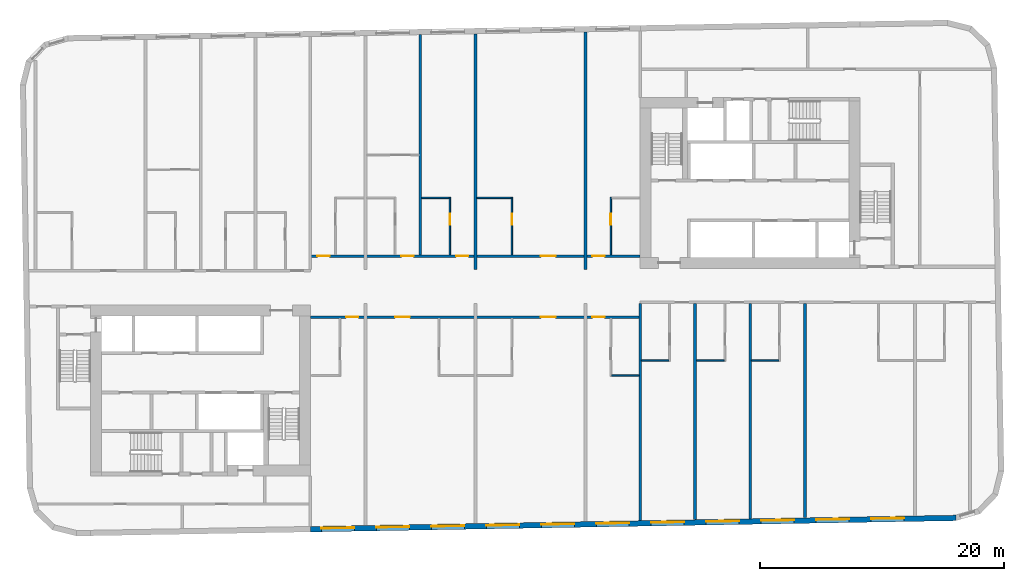
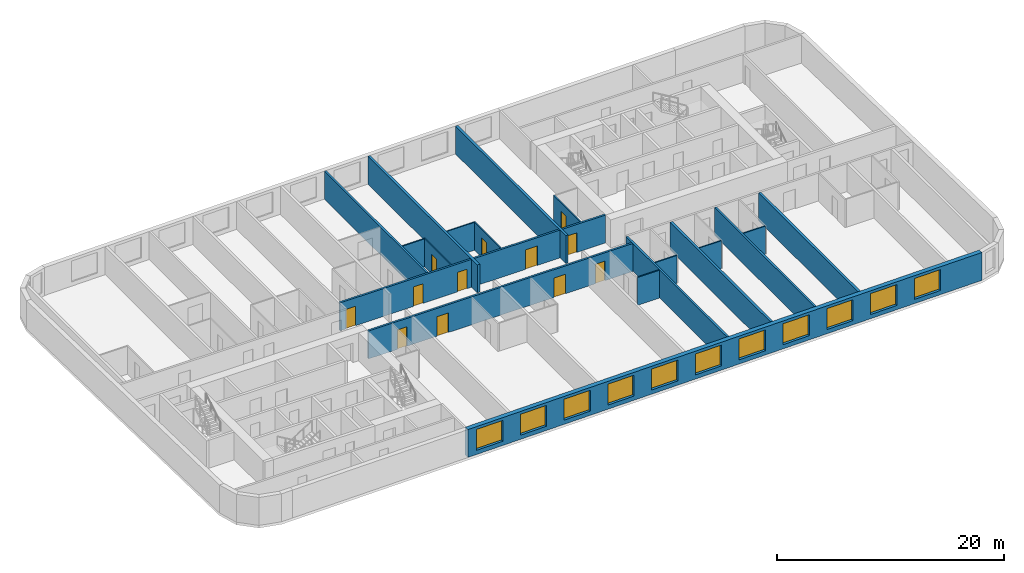
# One storey, part 4 of 11: 19 walls, 12 doors, 11 windows, 23 openings.
"""IFC4 building model written with IfcOpenShell, lengths in metres."""

from ifc_helpers import new_model, si_unit, direction, frame, frame_2d, origin, place, context, subcontext, project, spatial, rectangle, extrude, material, layer, layer_set, type_object, element, fill, save


model = new_model("IFC4")

# Units and contexts
model_context = context("Model", 3, precision=1e-05, world=origin(), true_north=direction((0.0, 1.0)))
body_context = subcontext(model_context, "Body", "Model", "MODEL_VIEW")
ifc_project = project(units=[si_unit("LENGTHUNIT", "METRE"), si_unit("AREAUNIT", "SQUARE_METRE"), si_unit("VOLUMEUNIT", "CUBIC_METRE"), si_unit("PLANEANGLEUNIT", "RADIAN"), si_unit("MASSUNIT", "GRAM", prefix="KILO")], contexts=[model_context])

# Site, building, storey
site_placement = place(None, origin())
site = spatial("IfcSite", under=ifc_project, at=site_placement, CompositionType="ELEMENT")
building_placement = place(site_placement, origin())
building = spatial("IfcBuilding", under=site, at=building_placement, Name="Kajstack Hotel Tower", CompositionType="ELEMENT")
storey_placement = place(building_placement, frame((0.0, 0.0, 254.0)))
storey = spatial("IfcBuildingStorey", under=building, at=storey_placement, Name="L63", CompositionType="ELEMENT", Elevation=254.0)

# Wall, openings, doors
ifc_material_1 = material(Name="Gypsum board on steel studs, mineral wool", Category="steel")
ifc_layer_1 = layer(ifc_material_1, 0.199951171875)
ifc_layer_set_1 = layer_set([ifc_layer_1], Name="Corridor wall 200")
wall_type_1 = type_object("IfcWallType", Name="Corridor wall 200", PredefinedType="PARTITIONING", material=ifc_layer_set_1)
wall_1_placement = place(storey_placement, frame((-13.5, 2.5, 0.0), z_axis=(0.0, 0.0, 1.0), x_axis=(1.0, 0.0, 0.0)))
wall_1 = element("IfcWall", 1, at=wall_1_placement, inside=storey, type_object=wall_type_1, Name="G-wall-L63-004", PredefinedType="PARTITIONING", context=body_context, shape_type="SweptSolid", body=[
    extrude(rectangle(XDim=27.0, YDim=0.199951171875, at=frame_2d((13.5, 0.0))), origin(), (0.0, 0.0, 1.0), 3.0),
])
opening_1_placement = place(wall_1_placement, frame((0.574951171875, 0.0, 0.0)))
opening_1 = element("IfcOpeningElement", 2, at=opening_1_placement, cuts=wall_1, Name="Opening 63010", PredefinedType="OPENING", context=body_context, shape_type="SweptSolid", body=[
    extrude(rectangle(XDim=1.0, YDim=2.10009765625, at=frame_2d((0.5, 1.050048828125))), frame((0.0, 0.10986328125, 0.0), z_axis=(0.0, -1.0, 0.0), x_axis=(1.0, 0.0, 0.0)), (0.0, 0.0, 1.0), 0.219970703125),
])
opening_2_placement = place(wall_1_placement, frame((7.449951171875, 0.0, 0.0)))
opening_2 = element("IfcOpeningElement", 3, at=opening_2_placement, cuts=wall_1, Name="Opening 63012", PredefinedType="OPENING", context=body_context, shape_type="SweptSolid", body=[
    extrude(rectangle(XDim=1.0, YDim=2.10009765625, at=frame_2d((0.5, 1.050048828125))), frame((0.0, 0.10986328125, 0.0), z_axis=(0.0, -1.0, 0.0), x_axis=(1.0, 0.0, 0.0)), (0.0, 0.0, 1.0), 0.219970703125),
])
opening_3_placement = place(wall_1_placement, frame((11.925048828125, 0.0, 0.0)))
opening_3 = element("IfcOpeningElement", 4, at=opening_3_placement, cuts=wall_1, Name="Opening 63015", PredefinedType="OPENING", context=body_context, shape_type="SweptSolid", body=[
    extrude(rectangle(XDim=1.0, YDim=2.10009765625, at=frame_2d((0.5, 1.050048828125))), frame((0.0, 0.10986328125, 0.0), z_axis=(0.0, -1.0, 0.0), x_axis=(1.0, 0.0, 0.0)), (0.0, 0.0, 1.0), 0.219970703125),
])
opening_4_placement = place(wall_1_placement, frame((18.862060546875, 0.0, 0.0)))
opening_4 = element("IfcOpeningElement", 5, at=opening_4_placement, cuts=wall_1, Name="Opening 63017", PredefinedType="OPENING", context=body_context, shape_type="SweptSolid", body=[
    extrude(rectangle(XDim=1.199951171875, YDim=2.10009765625, at=frame_2d((0.60009765625, 1.050048828125))), frame((0.0, 0.10986328125, 0.0), z_axis=(0.0, -1.0, 0.0), x_axis=(1.0, 0.0, 0.0)), (0.0, 0.0, 1.0), 0.219970703125),
])
opening_5_placement = place(wall_1_placement, frame((23.074951171875, 0.0, 0.0)))
opening_5 = element("IfcOpeningElement", 6, at=opening_5_placement, cuts=wall_1, Name="Opening 63019", PredefinedType="OPENING", context=body_context, shape_type="SweptSolid", body=[
    extrude(rectangle(XDim=1.0, YDim=2.10009765625, at=frame_2d((0.5, 1.050048828125))), frame((0.0, 0.10986328125, 0.0), z_axis=(0.0, -1.0, 0.0), x_axis=(1.0, 0.0, 0.0)), (0.0, 0.0, 1.0), 0.219970703125),
])
ifc_material_2 = material(Name="Oak veneer on timber core, fire-rated leaf", Category="wood")
door_type_1 = type_object("IfcDoorType", Name="Flat entrance door 1000", OperationType="SINGLE_SWING_LEFT", PredefinedType="DOOR", material=ifc_material_2)
door_1_placement = place(opening_1_placement, origin())
door_1 = element("IfcDoor", 7, at=door_1_placement, inside=storey, type_object=door_type_1, Name="G-door-L63-10", OperationType="SINGLE_SWING_RIGHT", OverallHeight=2.10009765625, OverallWidth=1.0, PredefinedType="DOOR", context=body_context, shape_type="SweptSolid", body=[
    extrude(rectangle(XDim=1.0, YDim=2.10009765625, at=frame_2d((0.5, 1.050048828125))), frame((0.0, 0.02490234375, 0.0), z_axis=(0.0, -1.0, 0.0), x_axis=(1.0, 0.0, 0.0)), (0.0, 0.0, 1.0), 0.050048828125),
])
fill(opening_1, door_1)
door_2_placement = place(opening_2_placement, origin())
door_2 = element("IfcDoor", 8, at=door_2_placement, inside=storey, type_object=door_type_1, Name="G-door-L63-12", OperationType="SINGLE_SWING_LEFT", OverallHeight=2.10009765625, OverallWidth=1.0, PredefinedType="DOOR", context=body_context, shape_type="SweptSolid", body=[
    extrude(rectangle(XDim=1.0, YDim=2.10009765625, at=frame_2d((0.5, 1.050048828125))), frame((0.0, 0.02490234375, 0.0), z_axis=(0.0, -1.0, 0.0), x_axis=(1.0, 0.0, 0.0)), (0.0, 0.0, 1.0), 0.050048828125),
])
fill(opening_2, door_2)
door_3_placement = place(opening_3_placement, origin())
door_3 = element("IfcDoor", 9, at=door_3_placement, inside=storey, type_object=door_type_1, Name="G-door-L63-15", OperationType="SINGLE_SWING_RIGHT", OverallHeight=2.10009765625, OverallWidth=1.0, PredefinedType="DOOR", context=body_context, shape_type="SweptSolid", body=[
    extrude(rectangle(XDim=1.0, YDim=2.10009765625, at=frame_2d((0.5, 1.050048828125))), frame((0.0, 0.02490234375, 0.0), z_axis=(0.0, -1.0, 0.0), x_axis=(1.0, 0.0, 0.0)), (0.0, 0.0, 1.0), 0.050048828125),
])
fill(opening_3, door_3)
door_4_placement = place(opening_5_placement, origin())
door_4 = element("IfcDoor", 10, at=door_4_placement, inside=storey, type_object=door_type_1, Name="G-door-L63-19", OperationType="SINGLE_SWING_LEFT", OverallHeight=2.10009765625, OverallWidth=1.0, PredefinedType="DOOR", context=body_context, shape_type="SweptSolid", body=[
    extrude(rectangle(XDim=1.0, YDim=2.10009765625, at=frame_2d((0.5, 1.050048828125))), frame((0.0, 0.02490234375, 0.0), z_axis=(0.0, -1.0, 0.0), x_axis=(1.0, 0.0, 0.0)), (0.0, 0.0, 1.0), 0.050048828125),
])
fill(opening_5, door_4)
door_type_2 = type_object("IfcDoorType", Name="Flat entrance door 1200", OperationType="SINGLE_SWING_LEFT", PredefinedType="DOOR", material=ifc_material_2)
door_5_placement = place(opening_4_placement, origin())
door_5 = element("IfcDoor", 11, at=door_5_placement, inside=storey, type_object=door_type_2, Name="G-door-L63-17", OperationType="SINGLE_SWING_LEFT", OverallHeight=2.10009765625, OverallWidth=1.199951171875, PredefinedType="DOOR", context=body_context, shape_type="SweptSolid", body=[
    extrude(rectangle(XDim=1.199951171875, YDim=2.10009765625, at=frame_2d((0.60009765625, 1.050048828125))), frame((0.0, 0.02490234375, 0.0), z_axis=(0.0, -1.0, 0.0), x_axis=(1.0, 0.0, 0.0)), (0.0, 0.0, 1.0), 0.050048828125),
])
fill(opening_4, door_5)

wall_2_placement = place(storey_placement, frame((-13.5, -2.5, 0.0), z_axis=(0.0, 0.0, 1.0), x_axis=(1.0, 0.0, 0.0)))
wall_2 = element("IfcWall", 12, at=wall_2_placement, inside=storey, type_object=wall_type_1, Name="G-wall-L63-028", PredefinedType="PARTITIONING", context=body_context, shape_type="SweptSolid", body=[
    extrude(rectangle(XDim=27.0, YDim=0.199951171875, at=frame_2d((13.5, 0.0))), origin(), (0.0, 0.0, 1.0), 3.0),
])
opening_6_placement = place(wall_2_placement, frame((2.925048828125, 0.0, 0.0)))
opening_6 = element("IfcOpeningElement", 13, at=opening_6_placement, cuts=wall_2, Name="Opening 63021", PredefinedType="OPENING", context=body_context, shape_type="SweptSolid", body=[
    extrude(rectangle(XDim=1.0, YDim=2.10009765625, at=frame_2d((0.5, 1.050048828125))), frame((0.0, 0.10986328125, 0.0), z_axis=(0.0, -1.0, 0.0), x_axis=(1.0, 0.0, 0.0)), (0.0, 0.0, 1.0), 0.219970703125),
])
opening_7_placement = place(wall_2_placement, frame((6.93798828125, 0.0, 0.0)))
opening_7 = element("IfcOpeningElement", 14, at=opening_7_placement, cuts=wall_2, Name="Opening 63023", PredefinedType="OPENING", context=body_context, shape_type="SweptSolid", body=[
    extrude(rectangle(XDim=1.199951171875, YDim=2.10009765625, at=frame_2d((0.60009765625, 1.050048828125))), frame((0.0, 0.10986328125, 0.0), z_axis=(0.0, -1.0, 0.0), x_axis=(1.0, 0.0, 0.0)), (0.0, 0.0, 1.0), 0.219970703125),
])
opening_8_placement = place(wall_2_placement, frame((18.862060546875, 0.0, 0.0)))
opening_8 = element("IfcOpeningElement", 15, at=opening_8_placement, cuts=wall_2, Name="Opening 63025", PredefinedType="OPENING", context=body_context, shape_type="SweptSolid", body=[
    extrude(rectangle(XDim=1.199951171875, YDim=2.10009765625, at=frame_2d((0.60009765625, 1.050048828125))), frame((0.0, 0.10986328125, 0.0), z_axis=(0.0, -1.0, 0.0), x_axis=(1.0, 0.0, 0.0)), (0.0, 0.0, 1.0), 0.219970703125),
])
opening_9_placement = place(wall_2_placement, frame((23.074951171875, 0.0, 0.0)))
opening_9 = element("IfcOpeningElement", 16, at=opening_9_placement, cuts=wall_2, Name="Opening 63027", PredefinedType="OPENING", context=body_context, shape_type="SweptSolid", body=[
    extrude(rectangle(XDim=1.0, YDim=2.10009765625, at=frame_2d((0.5, 1.050048828125))), frame((0.0, 0.10986328125, 0.0), z_axis=(0.0, -1.0, 0.0), x_axis=(1.0, 0.0, 0.0)), (0.0, 0.0, 1.0), 0.219970703125),
])
door_6_placement = place(opening_6_placement, origin())
door_6 = element("IfcDoor", 17, at=door_6_placement, inside=storey, type_object=door_type_1, Name="G-door-L63-21", OperationType="SINGLE_SWING_LEFT", OverallHeight=2.10009765625, OverallWidth=1.0, PredefinedType="DOOR", context=body_context, shape_type="SweptSolid", body=[
    extrude(rectangle(XDim=1.0, YDim=2.10009765625, at=frame_2d((0.5, 1.050048828125))), frame((0.0, 0.02490234375, 0.0), z_axis=(0.0, -1.0, 0.0), x_axis=(1.0, 0.0, 0.0)), (0.0, 0.0, 1.0), 0.050048828125),
])
fill(opening_6, door_6)
door_7_placement = place(opening_9_placement, origin())
door_7 = element("IfcDoor", 18, at=door_7_placement, inside=storey, type_object=door_type_1, Name="G-door-L63-27", OperationType="SINGLE_SWING_RIGHT", OverallHeight=2.10009765625, OverallWidth=1.0, PredefinedType="DOOR", context=body_context, shape_type="SweptSolid", body=[
    extrude(rectangle(XDim=1.0, YDim=2.10009765625, at=frame_2d((0.5, 1.050048828125))), frame((0.0, 0.02490234375, 0.0), z_axis=(0.0, -1.0, 0.0), x_axis=(1.0, 0.0, 0.0)), (0.0, 0.0, 1.0), 0.050048828125),
])
fill(opening_9, door_7)
door_8_placement = place(opening_7_placement, origin())
door_8 = element("IfcDoor", 19, at=door_8_placement, inside=storey, type_object=door_type_2, Name="G-door-L63-23", OperationType="SINGLE_SWING_RIGHT", OverallHeight=2.10009765625, OverallWidth=1.199951171875, PredefinedType="DOOR", context=body_context, shape_type="SweptSolid", body=[
    extrude(rectangle(XDim=1.199951171875, YDim=2.10009765625, at=frame_2d((0.60009765625, 1.050048828125))), frame((0.0, 0.02490234375, 0.0), z_axis=(0.0, -1.0, 0.0), x_axis=(1.0, 0.0, 0.0)), (0.0, 0.0, 1.0), 0.050048828125),
])
fill(opening_7, door_8)
door_9_placement = place(opening_8_placement, origin())
door_9 = element("IfcDoor", 20, at=door_9_placement, inside=storey, type_object=door_type_2, Name="G-door-L63-25", OperationType="SINGLE_SWING_RIGHT", OverallHeight=2.10009765625, OverallWidth=1.199951171875, PredefinedType="DOOR", context=body_context, shape_type="SweptSolid", body=[
    extrude(rectangle(XDim=1.199951171875, YDim=2.10009765625, at=frame_2d((0.60009765625, 1.050048828125))), frame((0.0, 0.02490234375, 0.0), z_axis=(0.0, -1.0, 0.0), x_axis=(1.0, 0.0, 0.0)), (0.0, 0.0, 1.0), 0.050048828125),
])
fill(opening_8, door_9)

# Walls
ifc_material_3 = material(Name="Twin-frame gypsum board on steel studs, mineral wool", Category="steel")
ifc_layer_2 = layer(ifc_material_3, 0.199951171875)
ifc_layer_set_2 = layer_set([ifc_layer_2], Name="Demising wall 200")
wall_type_2 = type_object("IfcWallType", Name="Demising wall 200", PredefinedType="PARTITIONING", material=ifc_layer_set_2)
wall_3_placement = place(storey_placement, frame((-4.5, 2.60009765625, 0.0), z_axis=(0.0, 0.0, 1.0), x_axis=(0.0, 1.0, 0.0)))
element("IfcWall", 21, at=wall_3_placement, inside=storey, type_object=wall_type_2, Name="G-wall-L63-018", PredefinedType="PARTITIONING", context=body_context, shape_type="SweptSolid", body=[
    extrude(rectangle(XDim=18.02197265625, YDim=0.199951171875, at=frame_2d((9.010986328125, 0.0))), origin(), (0.0, 0.0, 1.0), 3.0),
])
wall_4_placement = place(storey_placement, frame((13.5, -19.169921875, 0.0), z_axis=(0.0, 0.0, 1.0), x_axis=(0.0, 1.0, 0.0)))
element("IfcWall", 22, at=wall_4_placement, inside=storey, type_object=wall_type_2, Name="G-wall-L63-036", PredefinedType="PARTITIONING", context=body_context, shape_type="SweptSolid", body=[
    extrude(rectangle(XDim=17.77001953125, YDim=0.199951171875, at=frame_2d((8.885009765625, 0.0))), origin(), (0.0, 0.0, 1.0), 3.0),
])
wall_5_placement = place(storey_placement, frame((22.5, -19.012939453125, 0.0), z_axis=(0.0, 0.0, 1.0), x_axis=(0.0, 1.0, 0.0)))
element("IfcWall", 23, at=wall_5_placement, inside=storey, type_object=wall_type_2, Name="G-wall-L63-041", PredefinedType="PARTITIONING", context=body_context, shape_type="SweptSolid", body=[
    extrude(rectangle(XDim=17.613037109375, YDim=0.199951171875, at=frame_2d((8.806640625, 0.0))), origin(), (0.0, 0.0, 1.0), 3.0),
])

# Wall, openings, windows
ifc_material_4 = material(Name="Terracotta-faced brick masonry", Category="masonry")
ifc_layer_3 = layer(ifc_material_4, 0.449951171875)
ifc_layer_set_3 = layer_set([ifc_layer_3], Name="EW-TERRA")
wall_type_3 = type_object("IfcWallType", Name="EW-TERRA", PredefinedType="SOLIDWALL", material=ifc_layer_set_3)
wall_6_placement = place(storey_placement, frame((-13.50390625, -19.8662109375, 0.0), z_axis=(0.0, 0.0, 1.0), x_axis=(0.999847672978, 0.017453676992, 0.0)))
wall_6 = element("IfcWall", 24, at=wall_6_placement, inside=storey, type_object=wall_type_3, Name="E-wall-L63-04-02", PredefinedType="SOLIDWALL", context=body_context, shape_type="SweptSolid", body=[
    extrude(rectangle(XDim=52.8603515625, YDim=0.449951171875, at=frame_2d((26.43017578125, 0.0))), origin(), (0.0, 0.0, 1.0), 3.0),
])
opening_10_placement = place(wall_6_placement, frame((0.900390625, 0.0, 0.449951171875)))
opening_10 = element("IfcOpeningElement", 25, at=opening_10_placement, cuts=wall_6, Name="Opening W1", PredefinedType="OPENING", context=body_context, shape_type="SweptSolid", body=[
    extrude(rectangle(XDim=2.699951171875, YDim=2.25, at=frame_2d((1.35009765625, 1.125))), frame((0.0, 0.23486328125, 0.0), z_axis=(0.0, -1.0, 0.0), x_axis=(1.0, 0.0, 0.0)), (0.0, 0.0, 1.0), 0.469970703125),
])
opening_11_placement = place(wall_6_placement, frame((5.40087890625, 0.0, 0.449951171875)))
opening_11 = element("IfcOpeningElement", 26, at=opening_11_placement, cuts=wall_6, Name="Opening W1", PredefinedType="OPENING", context=body_context, shape_type="SweptSolid", body=[
    extrude(rectangle(XDim=2.699951171875, YDim=2.25, at=frame_2d((1.35009765625, 1.125))), frame((0.0, 0.23486328125, 0.0), z_axis=(0.0, -1.0, 0.0), x_axis=(1.0, 0.0, 0.0)), (0.0, 0.0, 1.0), 0.469970703125),
])
opening_12_placement = place(wall_6_placement, frame((9.901611328125, 0.0, 0.449951171875)))
opening_12 = element("IfcOpeningElement", 27, at=opening_12_placement, cuts=wall_6, Name="Opening W1", PredefinedType="OPENING", context=body_context, shape_type="SweptSolid", body=[
    extrude(rectangle(XDim=2.699951171875, YDim=2.25, at=frame_2d((1.35009765625, 1.125))), frame((0.0, 0.23486328125, 0.0), z_axis=(0.0, -1.0, 0.0), x_axis=(1.0, 0.0, 0.0)), (0.0, 0.0, 1.0), 0.469970703125),
])
opening_13_placement = place(wall_6_placement, frame((14.40234375, 0.0, 0.449951171875)))
opening_13 = element("IfcOpeningElement", 28, at=opening_13_placement, cuts=wall_6, Name="Opening W1", PredefinedType="OPENING", context=body_context, shape_type="SweptSolid", body=[
    extrude(rectangle(XDim=2.699951171875, YDim=2.25, at=frame_2d((1.35009765625, 1.125))), frame((0.0, 0.23486328125, 0.0), z_axis=(0.0, -1.0, 0.0), x_axis=(1.0, 0.0, 0.0)), (0.0, 0.0, 1.0), 0.469970703125),
])
opening_14_placement = place(wall_6_placement, frame((18.903076171875, 0.0, 0.449951171875)))
opening_14 = element("IfcOpeningElement", 29, at=opening_14_placement, cuts=wall_6, Name="Opening W1", PredefinedType="OPENING", context=body_context, shape_type="SweptSolid", body=[
    extrude(rectangle(XDim=2.699951171875, YDim=2.25, at=frame_2d((1.35009765625, 1.125))), frame((0.0, 0.23486328125, 0.0), z_axis=(0.0, -1.0, 0.0), x_axis=(1.0, 0.0, 0.0)), (0.0, 0.0, 1.0), 0.469970703125),
])
opening_15_placement = place(wall_6_placement, frame((23.40380859375, 0.0, 0.449951171875)))
opening_15 = element("IfcOpeningElement", 30, at=opening_15_placement, cuts=wall_6, Name="Opening W1", PredefinedType="OPENING", context=body_context, shape_type="SweptSolid", body=[
    extrude(rectangle(XDim=2.699951171875, YDim=2.25, at=frame_2d((1.35009765625, 1.125))), frame((0.0, 0.23486328125, 0.0), z_axis=(0.0, -1.0, 0.0), x_axis=(1.0, 0.0, 0.0)), (0.0, 0.0, 1.0), 0.469970703125),
])
opening_16_placement = place(wall_6_placement, frame((27.904296875, 0.0, 0.449951171875)))
opening_16 = element("IfcOpeningElement", 31, at=opening_16_placement, cuts=wall_6, Name="Opening W1", PredefinedType="OPENING", context=body_context, shape_type="SweptSolid", body=[
    extrude(rectangle(XDim=2.699951171875, YDim=2.25, at=frame_2d((1.35009765625, 1.125))), frame((0.0, 0.23486328125, 0.0), z_axis=(0.0, -1.0, 0.0), x_axis=(1.0, 0.0, 0.0)), (0.0, 0.0, 1.0), 0.469970703125),
])
opening_17_placement = place(wall_6_placement, frame((32.405029296875, 0.0, 0.449951171875)))
opening_17 = element("IfcOpeningElement", 32, at=opening_17_placement, cuts=wall_6, Name="Opening W1", PredefinedType="OPENING", context=body_context, shape_type="SweptSolid", body=[
    extrude(rectangle(XDim=2.699951171875, YDim=2.25, at=frame_2d((1.35009765625, 1.125))), frame((0.0, 0.23486328125, 0.0), z_axis=(0.0, -1.0, 0.0), x_axis=(1.0, 0.0, 0.0)), (0.0, 0.0, 1.0), 0.469970703125),
])
opening_18_placement = place(wall_6_placement, frame((36.90576171875, 0.0, 0.449951171875)))
opening_18 = element("IfcOpeningElement", 33, at=opening_18_placement, cuts=wall_6, Name="Opening W1", PredefinedType="OPENING", context=body_context, shape_type="SweptSolid", body=[
    extrude(rectangle(XDim=2.699951171875, YDim=2.25, at=frame_2d((1.35009765625, 1.125))), frame((0.0, 0.23486328125, 0.0), z_axis=(0.0, -1.0, 0.0), x_axis=(1.0, 0.0, 0.0)), (0.0, 0.0, 1.0), 0.469970703125),
])
opening_19_placement = place(wall_6_placement, frame((41.406494140625, 0.0, 0.449951171875)))
opening_19 = element("IfcOpeningElement", 34, at=opening_19_placement, cuts=wall_6, Name="Opening W1", PredefinedType="OPENING", context=body_context, shape_type="SweptSolid", body=[
    extrude(rectangle(XDim=2.699951171875, YDim=2.25, at=frame_2d((1.35009765625, 1.125))), frame((0.0, 0.23486328125, 0.0), z_axis=(0.0, -1.0, 0.0), x_axis=(1.0, 0.0, 0.0)), (0.0, 0.0, 1.0), 0.469970703125),
])
opening_20_placement = place(wall_6_placement, frame((45.9072265625, 0.0, 0.449951171875)))
opening_20 = element("IfcOpeningElement", 35, at=opening_20_placement, cuts=wall_6, Name="Opening W1", PredefinedType="OPENING", context=body_context, shape_type="SweptSolid", body=[
    extrude(rectangle(XDim=2.699951171875, YDim=2.25, at=frame_2d((1.35009765625, 1.125))), frame((0.0, 0.23486328125, 0.0), z_axis=(0.0, -1.0, 0.0), x_axis=(1.0, 0.0, 0.0)), (0.0, 0.0, 1.0), 0.469970703125),
])
ifc_material_5 = material(Name="Timber-aluminium window, triple glazed", Category="wood")
window_type = type_object("IfcWindowType", Name="WG1", PartitioningType="SINGLE_PANEL", PredefinedType="WINDOW", material=ifc_material_5)
window_1_placement = place(opening_10_placement, origin())
window_1 = element("IfcWindow", 36, at=window_1_placement, inside=storey, type_object=window_type, Name="Window W1 L63-04", OverallHeight=2.25, OverallWidth=2.699951171875, PartitioningType="SINGLE_PANEL", PredefinedType="WINDOW", context=body_context, shape_type="SweptSolid", body=[
    extrude(rectangle(XDim=2.699951171875, YDim=2.25, at=frame_2d((1.35009765625, 1.125))), frame((0.0, 0.090087890625, 0.0), z_axis=(0.0, -1.0, 0.0), x_axis=(1.0, 0.0, 0.0)), (0.0, 0.0, 1.0), 0.06005859375),
])
fill(opening_10, window_1)
window_2_placement = place(opening_11_placement, origin())
window_2 = element("IfcWindow", 37, at=window_2_placement, inside=storey, type_object=window_type, Name="Window W1 L63-04", OverallHeight=2.25, OverallWidth=2.699951171875, PartitioningType="SINGLE_PANEL", PredefinedType="WINDOW", context=body_context, shape_type="SweptSolid", body=[
    extrude(rectangle(XDim=2.699951171875, YDim=2.25, at=frame_2d((1.35009765625, 1.125))), frame((0.0, 0.090087890625, 0.0), z_axis=(0.0, -1.0, 0.0), x_axis=(1.0, 0.0, 0.0)), (0.0, 0.0, 1.0), 0.06005859375),
])
fill(opening_11, window_2)
window_3_placement = place(opening_12_placement, origin())
window_3 = element("IfcWindow", 38, at=window_3_placement, inside=storey, type_object=window_type, Name="Window W1 L63-04", OverallHeight=2.25, OverallWidth=2.699951171875, PartitioningType="SINGLE_PANEL", PredefinedType="WINDOW", context=body_context, shape_type="SweptSolid", body=[
    extrude(rectangle(XDim=2.699951171875, YDim=2.25, at=frame_2d((1.35009765625, 1.125))), frame((0.0, 0.090087890625, 0.0), z_axis=(0.0, -1.0, 0.0), x_axis=(1.0, 0.0, 0.0)), (0.0, 0.0, 1.0), 0.06005859375),
])
fill(opening_12, window_3)
window_4_placement = place(opening_13_placement, origin())
window_4 = element("IfcWindow", 39, at=window_4_placement, inside=storey, type_object=window_type, Name="Window W1 L63-04", OverallHeight=2.25, OverallWidth=2.699951171875, PartitioningType="SINGLE_PANEL", PredefinedType="WINDOW", context=body_context, shape_type="SweptSolid", body=[
    extrude(rectangle(XDim=2.699951171875, YDim=2.25, at=frame_2d((1.35009765625, 1.125))), frame((0.0, 0.090087890625, 0.0), z_axis=(0.0, -1.0, 0.0), x_axis=(1.0, 0.0, 0.0)), (0.0, 0.0, 1.0), 0.06005859375),
])
fill(opening_13, window_4)
window_5_placement = place(opening_14_placement, origin())
window_5 = element("IfcWindow", 40, at=window_5_placement, inside=storey, type_object=window_type, Name="Window W1 L63-04", OverallHeight=2.25, OverallWidth=2.699951171875, PartitioningType="SINGLE_PANEL", PredefinedType="WINDOW", context=body_context, shape_type="SweptSolid", body=[
    extrude(rectangle(XDim=2.699951171875, YDim=2.25, at=frame_2d((1.35009765625, 1.125))), frame((0.0, 0.090087890625, 0.0), z_axis=(0.0, -1.0, 0.0), x_axis=(1.0, 0.0, 0.0)), (0.0, 0.0, 1.0), 0.06005859375),
])
fill(opening_14, window_5)
window_6_placement = place(opening_15_placement, origin())
window_6 = element("IfcWindow", 41, at=window_6_placement, inside=storey, type_object=window_type, Name="Window W1 L63-04", OverallHeight=2.25, OverallWidth=2.699951171875, PartitioningType="SINGLE_PANEL", PredefinedType="WINDOW", context=body_context, shape_type="SweptSolid", body=[
    extrude(rectangle(XDim=2.699951171875, YDim=2.25, at=frame_2d((1.35009765625, 1.125))), frame((0.0, 0.090087890625, 0.0), z_axis=(0.0, -1.0, 0.0), x_axis=(1.0, 0.0, 0.0)), (0.0, 0.0, 1.0), 0.06005859375),
])
fill(opening_15, window_6)
window_7_placement = place(opening_16_placement, origin())
window_7 = element("IfcWindow", 42, at=window_7_placement, inside=storey, type_object=window_type, Name="Window W1 L63-04", OverallHeight=2.25, OverallWidth=2.699951171875, PartitioningType="SINGLE_PANEL", PredefinedType="WINDOW", context=body_context, shape_type="SweptSolid", body=[
    extrude(rectangle(XDim=2.699951171875, YDim=2.25, at=frame_2d((1.35009765625, 1.125))), frame((0.0, 0.090087890625, 0.0), z_axis=(0.0, -1.0, 0.0), x_axis=(1.0, 0.0, 0.0)), (0.0, 0.0, 1.0), 0.06005859375),
])
fill(opening_16, window_7)
window_8_placement = place(opening_17_placement, origin())
window_8 = element("IfcWindow", 43, at=window_8_placement, inside=storey, type_object=window_type, Name="Window W1 L63-04", OverallHeight=2.25, OverallWidth=2.699951171875, PartitioningType="SINGLE_PANEL", PredefinedType="WINDOW", context=body_context, shape_type="SweptSolid", body=[
    extrude(rectangle(XDim=2.699951171875, YDim=2.25, at=frame_2d((1.35009765625, 1.125))), frame((0.0, 0.090087890625, 0.0), z_axis=(0.0, -1.0, 0.0), x_axis=(1.0, 0.0, 0.0)), (0.0, 0.0, 1.0), 0.06005859375),
])
fill(opening_17, window_8)
window_9_placement = place(opening_18_placement, origin())
window_9 = element("IfcWindow", 44, at=window_9_placement, inside=storey, type_object=window_type, Name="Window W1 L63-04", OverallHeight=2.25, OverallWidth=2.699951171875, PartitioningType="SINGLE_PANEL", PredefinedType="WINDOW", context=body_context, shape_type="SweptSolid", body=[
    extrude(rectangle(XDim=2.699951171875, YDim=2.25, at=frame_2d((1.35009765625, 1.125))), frame((0.0, 0.090087890625, 0.0), z_axis=(0.0, -1.0, 0.0), x_axis=(1.0, 0.0, 0.0)), (0.0, 0.0, 1.0), 0.06005859375),
])
fill(opening_18, window_9)
window_10_placement = place(opening_19_placement, origin())
window_10 = element("IfcWindow", 45, at=window_10_placement, inside=storey, type_object=window_type, Name="Window W1 L63-04", OverallHeight=2.25, OverallWidth=2.699951171875, PartitioningType="SINGLE_PANEL", PredefinedType="WINDOW", context=body_context, shape_type="SweptSolid", body=[
    extrude(rectangle(XDim=2.699951171875, YDim=2.25, at=frame_2d((1.35009765625, 1.125))), frame((0.0, 0.090087890625, 0.0), z_axis=(0.0, -1.0, 0.0), x_axis=(1.0, 0.0, 0.0)), (0.0, 0.0, 1.0), 0.06005859375),
])
fill(opening_19, window_10)
window_11_placement = place(opening_20_placement, origin())
window_11 = element("IfcWindow", 46, at=window_11_placement, inside=storey, type_object=window_type, Name="Window W1 L63-04", OverallHeight=2.25, OverallWidth=2.699951171875, PartitioningType="SINGLE_PANEL", PredefinedType="WINDOW", context=body_context, shape_type="SweptSolid", body=[
    extrude(rectangle(XDim=2.699951171875, YDim=2.25, at=frame_2d((1.35009765625, 1.125))), frame((0.0, 0.090087890625, 0.0), z_axis=(0.0, -1.0, 0.0), x_axis=(1.0, 0.0, 0.0)), (0.0, 0.0, 1.0), 0.06005859375),
])
fill(opening_20, window_11)

# Wall, opening, door
ifc_material_6 = material(Name="Gypsum board and tiled backer on steel studs", Category="steel")
ifc_layer_4 = layer(ifc_material_6, 0.125)
ifc_layer_set_4 = layer_set([ifc_layer_4], Name="En-suite wall 125")
wall_type_4 = type_object("IfcWallType", Name="En-suite wall 125", PredefinedType="PARTITIONING", material=ifc_layer_set_4)
wall_7_placement = place(storey_placement, frame((-2.0869140625, 2.60009765625, 0.0), z_axis=(0.0, 0.0, 1.0), x_axis=(0.0, 1.0, 0.0)))
wall_7 = element("IfcWall", 47, at=wall_7_placement, inside=storey, type_object=wall_type_4, Name="G-wall-L63-022", PredefinedType="PARTITIONING", context=body_context, shape_type="SweptSolid", body=[
    extrude(rectangle(XDim=4.724853515625, YDim=0.125, at=frame_2d((2.3623046875, 0.0))), origin(), (0.0, 0.0, 1.0), 3.0),
])
opening_21_placement = place(wall_7_placement, frame((2.449951171875, 0.0, 0.0)))
opening_21 = element("IfcOpeningElement", 48, at=opening_21_placement, cuts=wall_7, Name="Opening 63016", PredefinedType="OPENING", context=body_context, shape_type="SweptSolid", body=[
    extrude(rectangle(XDim=0.89990234375, YDim=2.10009765625, at=frame_2d((0.449951171875, 1.050048828125))), frame((0.0, 0.072509765625, 0.0), z_axis=(0.0, -1.0, 0.0), x_axis=(1.0, 0.0, 0.0)), (0.0, 0.0, 1.0), 0.14501953125),
])
ifc_material_7 = material(Name="Painted timber door leaf", Category="wood")
door_type_3 = type_object("IfcDoorType", Name="Room door 900", OperationType="SINGLE_SWING_LEFT", PredefinedType="DOOR", material=ifc_material_7)
door_10_placement = place(opening_21_placement, origin())
door_10 = element("IfcDoor", 49, at=door_10_placement, inside=storey, type_object=door_type_3, Name="G-door-L63-16", OperationType="SINGLE_SWING_LEFT", OverallHeight=2.10009765625, OverallWidth=0.89990234375, PredefinedType="DOOR", context=body_context, shape_type="SweptSolid", body=[
    extrude(rectangle(XDim=0.89990234375, YDim=2.10009765625, at=frame_2d((0.449951171875, 1.050048828125))), frame((0.0, 0.02490234375, 0.0), z_axis=(0.0, -1.0, 0.0), x_axis=(1.0, 0.0, 0.0)), (0.0, 0.0, 1.0), 0.050048828125),
])
fill(opening_21, door_10)

# Wall
wall_8_placement = place(storey_placement, frame((-4.39990234375, 7.261962890625, 0.0), z_axis=(0.0, 0.0, 1.0), x_axis=(1.0, 0.0, 0.0)))
element("IfcWall", 50, at=wall_8_placement, inside=storey, type_object=wall_type_4, Name="G-wall-L63-023", PredefinedType="PARTITIONING", context=body_context, shape_type="SweptSolid", body=[
    extrude(rectangle(XDim=2.25, YDim=0.125, at=frame_2d((1.125, 0.0))), origin(), (0.0, 0.0, 1.0), 3.0),
])

# Wall, opening, door
wall_9_placement = place(storey_placement, frame((2.987060546875, 2.60009765625, 0.0), z_axis=(0.0, 0.0, 1.0), x_axis=(0.0, 1.0, 0.0)))
wall_9 = element("IfcWall", 51, at=wall_9_placement, inside=storey, type_object=wall_type_4, Name="G-wall-L63-024", PredefinedType="PARTITIONING", context=body_context, shape_type="SweptSolid", body=[
    extrude(rectangle(XDim=4.724853515625, YDim=0.125, at=frame_2d((2.3623046875, 0.0))), origin(), (0.0, 0.0, 1.0), 3.0),
])
opening_22_placement = place(wall_9_placement, frame((2.449951171875, 0.0, 0.0)))
opening_22 = element("IfcOpeningElement", 52, at=opening_22_placement, cuts=wall_9, Name="Opening 63018", PredefinedType="OPENING", context=body_context, shape_type="SweptSolid", body=[
    extrude(rectangle(XDim=0.89990234375, YDim=2.10009765625, at=frame_2d((0.449951171875, 1.050048828125))), frame((0.0, 0.072509765625, 0.0), z_axis=(0.0, -1.0, 0.0), x_axis=(1.0, 0.0, 0.0)), (0.0, 0.0, 1.0), 0.14501953125),
])
door_11_placement = place(opening_22_placement, origin())
door_11 = element("IfcDoor", 53, at=door_11_placement, inside=storey, type_object=door_type_3, Name="G-door-L63-18", OperationType="SINGLE_SWING_LEFT", OverallHeight=2.10009765625, OverallWidth=0.89990234375, PredefinedType="DOOR", context=body_context, shape_type="SweptSolid", body=[
    extrude(rectangle(XDim=0.89990234375, YDim=2.10009765625, at=frame_2d((0.449951171875, 1.050048828125))), frame((0.0, 0.02490234375, 0.0), z_axis=(0.0, -1.0, 0.0), x_axis=(1.0, 0.0, 0.0)), (0.0, 0.0, 1.0), 0.050048828125),
])
fill(opening_22, door_11)

# Wall
wall_10_placement = place(storey_placement, frame((0.125, 7.261962890625, 0.0), z_axis=(0.0, 0.0, 1.0), x_axis=(1.0, 0.0, 0.0)))
element("IfcWall", 54, at=wall_10_placement, inside=storey, type_object=wall_type_4, Name="G-wall-L63-025", PredefinedType="PARTITIONING", context=body_context, shape_type="SweptSolid", body=[
    extrude(rectangle(XDim=2.800048828125, YDim=0.125, at=frame_2d((1.39990234375, 0.0))), origin(), (0.0, 0.0, 1.0), 3.0),
])

# Wall, opening, door
wall_11_placement = place(storey_placement, frame((11.087890625, 2.60009765625, 0.0), z_axis=(0.0, 0.0, 1.0), x_axis=(0.0, 1.0, 0.0)))
wall_11 = element("IfcWall", 55, at=wall_11_placement, inside=storey, type_object=wall_type_4, Name="G-wall-L63-026", PredefinedType="PARTITIONING", context=body_context, shape_type="SweptSolid", body=[
    extrude(rectangle(XDim=4.724853515625, YDim=0.125, at=frame_2d((2.3623046875, 0.0))), origin(), (0.0, 0.0, 1.0), 3.0),
])
opening_23_placement = place(wall_11_placement, frame((2.449951171875, 0.0, 0.0)))
opening_23 = element("IfcOpeningElement", 56, at=opening_23_placement, cuts=wall_11, Name="Opening 63020", PredefinedType="OPENING", context=body_context, shape_type="SweptSolid", body=[
    extrude(rectangle(XDim=0.89990234375, YDim=2.10009765625, at=frame_2d((0.449951171875, 1.050048828125))), frame((0.0, 0.072509765625, 0.0), z_axis=(0.0, -1.0, 0.0), x_axis=(1.0, 0.0, 0.0)), (0.0, 0.0, 1.0), 0.14501953125),
])
door_12_placement = place(opening_23_placement, origin())
door_12 = element("IfcDoor", 57, at=door_12_placement, inside=storey, type_object=door_type_3, Name="G-door-L63-20", OperationType="SINGLE_SWING_LEFT", OverallHeight=2.10009765625, OverallWidth=0.89990234375, PredefinedType="DOOR", context=body_context, shape_type="SweptSolid", body=[
    extrude(rectangle(XDim=0.89990234375, YDim=2.10009765625, at=frame_2d((0.449951171875, 1.050048828125))), frame((0.0, 0.02490234375, 0.0), z_axis=(0.0, -1.0, 0.0), x_axis=(1.0, 0.0, 0.0)), (0.0, 0.0, 1.0), 0.050048828125),
])
fill(opening_23, door_12)

# Walls
for number, where, z_axis, x_axis, name in (
    (58, (11.14990234375, -7.261962890625, 0.0), (0.0, 0.0, 1.0), (1.0, 0.0, 0.0), "G-wall-L63-038"),
    (59, (13.60009765625, -6.06201171875, 0.0), (0.0, 0.0, 1.0), (1.0, 0.0, 0.0), "G-wall-L63-040"),
    (60, (18.125, -6.06201171875, 0.0), (0.0, 0.0, 1.0), (1.0, 0.0, 0.0), "G-wall-L63-043"),
    (61, (22.60009765625, -6.06201171875, 0.0), (0.0, 0.0, 1.0), (1.0, 0.0, 0.0), "G-wall-L63-045"),
):
    element("IfcWall", number, at=place(storey_placement, frame(where, z_axis=z_axis, x_axis=x_axis)), inside=storey, type_object=wall_type_4, Name=name, PredefinedType="PARTITIONING", context=body_context, shape_type="SweptSolid", body=[
        extrude(rectangle(XDim=2.25, YDim=0.125, at=frame_2d((1.125, 0.0))), origin(), (0.0, 0.0, 1.0), 3.0),
    ])
ifc_material_8 = material(Name="Concrete C45/55", Category="concrete")
ifc_layer_5 = layer(ifc_material_8, 0.25)
ifc_layer_set_5 = layer_set([ifc_layer_5], Name="RC cross wall 250 C45/55")
wall_type_5 = type_object("IfcWallType", Name="RC cross wall 250 C45/55", PredefinedType="SHEAR", material=ifc_layer_set_5)
wall_12_placement = place(storey_placement, frame((0.0, 1.39990234375, 0.0), z_axis=(0.0, 0.0, 1.0), x_axis=(0.0, 1.0, 0.0)))
element("IfcWall", 62, at=wall_12_placement, inside=storey, type_object=wall_type_5, Name="S-wall-L63-07", PredefinedType="SHEAR", context=body_context, shape_type="SweptSolid", body=[
    extrude(rectangle(XDim=19.28857421875, YDim=0.25, at=frame_2d((9.644287109375, 0.0))), origin(), (0.0, 0.0, 1.0), 3.0),
])
wall_13_placement = place(storey_placement, frame((9.0, 1.39990234375, 0.0), z_axis=(0.0, 0.0, 1.0), x_axis=(0.0, 1.0, 0.0)))
element("IfcWall", 63, at=wall_13_placement, inside=storey, type_object=wall_type_5, Name="S-wall-L63-09", PredefinedType="SHEAR", context=body_context, shape_type="SweptSolid", body=[
    extrude(rectangle(XDim=19.44580078125, YDim=0.25, at=frame_2d((9.722900390625, 0.0))), origin(), (0.0, 0.0, 1.0), 3.0),
])
wall_14_placement = place(storey_placement, frame((18.0, -19.0791015625, 0.0), z_axis=(0.0, 0.0, 1.0), x_axis=(0.0, 1.0, 0.0)))
element("IfcWall", 64, at=wall_14_placement, inside=storey, type_object=wall_type_5, Name="S-wall-L63-10", PredefinedType="SHEAR", context=body_context, shape_type="SweptSolid", body=[
    extrude(rectangle(XDim=17.67919921875, YDim=0.25, at=frame_2d((8.839599609375, 0.0))), origin(), (0.0, 0.0, 1.0), 3.0),
])
wall_15_placement = place(storey_placement, frame((27.0, -18.922119140625, 0.0), z_axis=(0.0, 0.0, 1.0), x_axis=(0.0, 1.0, 0.0)))
element("IfcWall", 65, at=wall_15_placement, inside=storey, type_object=wall_type_5, Name="S-wall-L63-11", PredefinedType="SHEAR", context=body_context, shape_type="SweptSolid", body=[
    extrude(rectangle(XDim=17.522216796875, YDim=0.25, at=frame_2d((8.76123046875, 0.0))), origin(), (0.0, 0.0, 1.0), 3.0),
])

save(model, "model.ifc")
